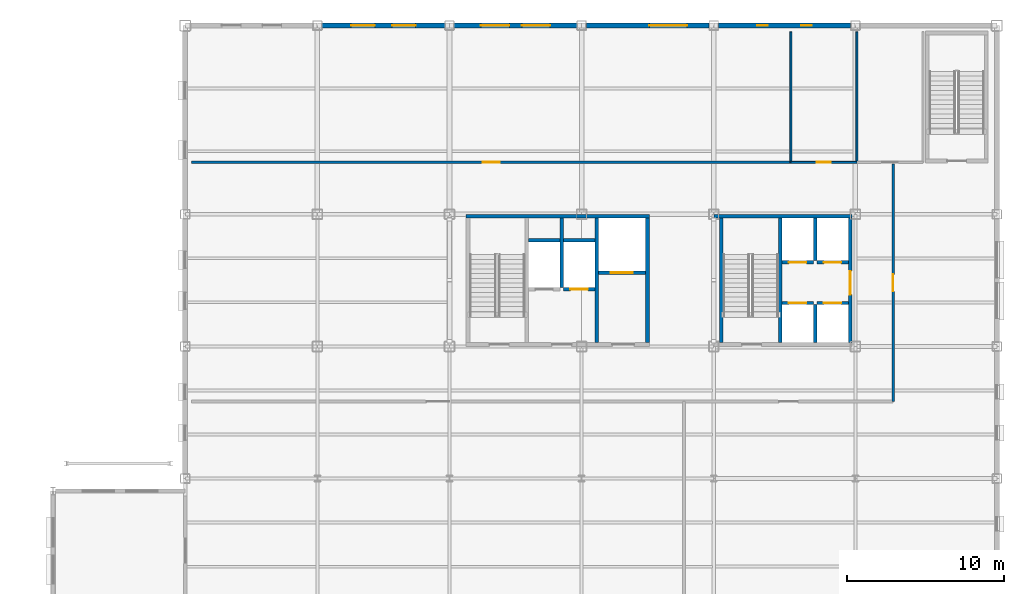
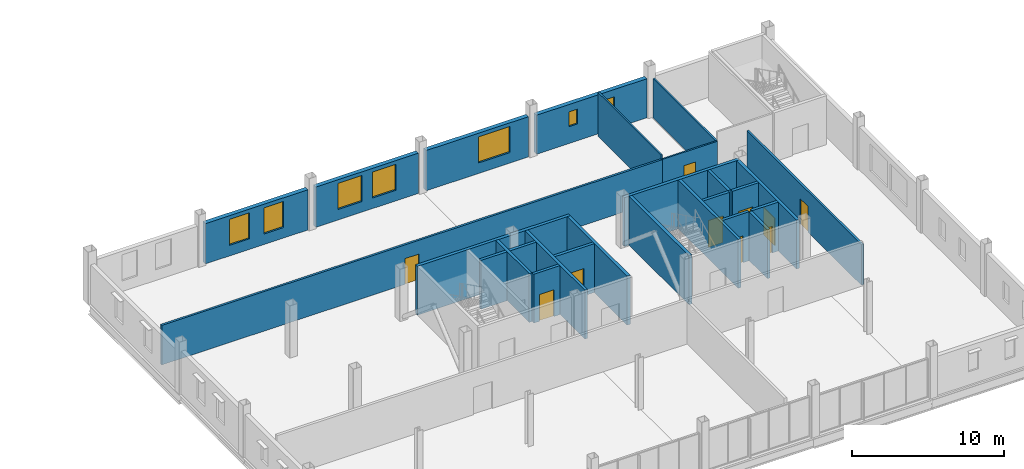
# One storey, part 39 of 45: 27 walls, 10 doors, 7 windows, 17 openings.
"""IFC4 building model written with IfcOpenShell, lengths in metres."""

from ifc_helpers import new_model, si_unit, direction, frame, frame_2d, origin, place, context, subcontext, project, spatial, rectangle, extrude, material, layer, layer_set, type_object, element, fill, save


model = new_model("IFC4")

# Units and contexts
model_context = context("Model", 3, precision=1e-05, world=origin(), true_north=direction((0.0, 1.0)))
body_context = subcontext(model_context, "Body", "Model", "MODEL_VIEW")
ifc_project = project(units=[si_unit("LENGTHUNIT", "METRE"), si_unit("AREAUNIT", "SQUARE_METRE"), si_unit("VOLUMEUNIT", "CUBIC_METRE"), si_unit("PLANEANGLEUNIT", "RADIAN"), si_unit("MASSUNIT", "GRAM", prefix="KILO")], contexts=[model_context])

# Site, building, storey
site_placement = place(None, origin())
site = spatial("IfcSite", under=ifc_project, at=site_placement, CompositionType="ELEMENT")
building_placement = place(site_placement, origin())
building = spatial("IfcBuilding", under=site, at=building_placement, Name="Yukiwa Park Conservatory and Herbarium", CompositionType="ELEMENT")
storey_placement = place(building_placement, frame((0.0, 0.0, 9.0)))
storey = spatial("IfcBuildingStorey", under=building, at=storey_placement, Name="L02", CompositionType="ELEMENT", Elevation=9.0)

# Walls
ifc_material_1 = material(Name="Concrete C40", Category="concrete")
ifc_layer_1 = layer(ifc_material_1, 0.219970703125)
ifc_layer_set_1 = layer_set([ifc_layer_1], Name="Concrete C40")
wall_type_1 = type_object("IfcWallType", Name="WL-CORE-RC220", PredefinedType="SHEAR", material=ifc_layer_set_1)
wall_1_placement = place(storey_placement, frame((140.330078125, 98.5400390625, 0.0), z_axis=(0.0, 0.0, 1.0), x_axis=(0.0, 1.0, 0.0)))
element("IfcWall", 1, at=wall_1_placement, inside=storey, type_object=wall_type_1, Name="L02 core shear wall 246", PredefinedType="SHEAR", context=body_context, shape_type="SweptSolid", body=[
    extrude(rectangle(XDim=4.409912109375, YDim=0.219970703125, at=frame_2d((2.205078125, 0.0))), origin(), (0.0, 0.0, 1.0), 3.93505859375),
])
wall_2_placement = place(storey_placement, frame((142.550048828125, 95.050048828125, 0.0), z_axis=(0.0, 0.0, 1.0), x_axis=(0.0, 1.0, 0.0)))
element("IfcWall", 2, at=wall_2_placement, inside=storey, type_object=wall_type_1, Name="L02 core shear wall 247", PredefinedType="SHEAR", context=body_context, shape_type="SweptSolid", body=[
    extrude(rectangle(XDim=7.89990234375, YDim=0.219970703125, at=frame_2d((3.949951171875, 0.0))), origin(), (0.0, 0.0, 1.0), 3.93505859375),
])

# Wall, opening, door
wall_3_placement = place(storey_placement, frame((140.43994140625, 98.429931640625, 0.0), z_axis=(0.0, 0.0, 1.0), x_axis=(1.0, 0.0, 0.0)))
wall_3 = element("IfcWall", 3, at=wall_3_placement, inside=storey, type_object=wall_type_1, Name="L02 core shear wall 250", PredefinedType="SHEAR", context=body_context, shape_type="SweptSolid", body=[
    extrude(rectangle(XDim=2.0, YDim=0.219970703125, at=frame_2d((1.0, 0.0))), origin(), (0.0, 0.0, 1.0), 3.93505859375),
])
opening_1_placement = place(wall_3_placement, frame((0.449951171875, 0.0, 0.0)))
opening_1 = element("IfcOpeningElement", 4, at=opening_1_placement, cuts=wall_3, Name="Opening LD-01", PredefinedType="OPENING", context=body_context, shape_type="SweptSolid", body=[
    extrude(rectangle(XDim=1.10009765625, YDim=2.14990234375, at=frame_2d((0.550048828125, 1.074951171875))), frame((0.0, 0.1201171875, 0.0), z_axis=(0.0, -1.0, 0.0), x_axis=(1.0, 0.0, 0.0)), (0.0, 0.0, 1.0), 0.239990234375),
])
ifc_material_2 = material(Name="Steel Q235B", Category="steel")
door_type_1 = type_object("IfcDoorType", Name="DR-LIFT-LD1100", OperationType="SLIDING_TO_LEFT", PredefinedType="DOOR", material=ifc_material_2)
door_1_placement = place(opening_1_placement, origin())
door_1 = element("IfcDoor", 5, at=door_1_placement, inside=storey, type_object=door_type_1, Name="L02 Firefighting Lift FL2 sliding landing door", OperationType="SLIDING_TO_LEFT", OverallHeight=2.14990234375, OverallWidth=1.10009765625, PredefinedType="DOOR", context=body_context, shape_type="SweptSolid", body=[
    extrude(rectangle(XDim=1.10009765625, YDim=2.14990234375, at=frame_2d((0.550048828125, 1.074951171875))), frame((0.0, 0.02490234375, 0.0), z_axis=(0.0, -1.0, 0.0), x_axis=(1.0, 0.0, 0.0)), (0.0, 0.0, 1.0), 0.050048828125),
])
fill(opening_1, door_1)

# Walls
for number, where, z_axis, x_axis, name in (
    (6, (138.219970703125, 101.550048828125, 0.0), (0.0, 0.0, 1.0), (1.0, 0.0, 0.0), "L02 core shear wall 251"),
    (7, (140.43994140625, 101.550048828125, 0.0), (0.0, 0.0, 1.0), (1.0, 0.0, 0.0), "L02 core shear wall 252"),
):
    element("IfcWall", number, at=place(storey_placement, frame(where, z_axis=z_axis, x_axis=x_axis)), inside=storey, type_object=wall_type_1, Name=name, PredefinedType="SHEAR", context=body_context, shape_type="SweptSolid", body=[
        extrude(rectangle(XDim=2.0, YDim=0.219970703125, at=frame_2d((1.0, 0.0))), origin(), (0.0, 0.0, 1.0), 3.93505859375),
    ])

# Wall, opening, door
wall_4_placement = place(storey_placement, frame((142.659912109375, 99.489990234375, 0.0), z_axis=(0.0, 0.0, 1.0), x_axis=(1.0, 0.0, 0.0)))
wall_4 = element("IfcWall", 8, at=wall_4_placement, inside=storey, type_object=wall_type_1, Name="L02 core shear wall 253", PredefinedType="SHEAR", context=body_context, shape_type="SweptSolid", body=[
    extrude(rectangle(XDim=3.0, YDim=0.219970703125, at=frame_2d((1.5, 0.0))), origin(), (0.0, 0.0, 1.0), 3.93505859375),
])
opening_2_placement = place(wall_4_placement, frame((0.800048828125, 0.0, 0.0)))
opening_2 = element("IfcOpeningElement", 9, at=opening_2_placement, cuts=wall_4, Name="Opening LD-02", PredefinedType="OPENING", context=body_context, shape_type="SweptSolid", body=[
    extrude(rectangle(XDim=1.39990234375, YDim=2.199951171875, at=frame_2d((0.699951171875, 1.10009765625))), frame((0.0, 0.1201171875, 0.0), z_axis=(0.0, -1.0, 0.0), x_axis=(1.0, 0.0, 0.0)), (0.0, 0.0, 1.0), 0.239990234375),
])
ifc_material_3 = material(Name="Steel Q235B", Category="steel")
door_type_2 = type_object("IfcDoorType", Name="DR-LIFT-LD1400", OperationType="SLIDING_TO_LEFT", PredefinedType="DOOR", material=ifc_material_3)
door_2_placement = place(opening_2_placement, origin())
door_2 = element("IfcDoor", 10, at=door_2_placement, inside=storey, type_object=door_type_2, Name="L02 Goods Lift GL1 sliding landing door", OperationType="SLIDING_TO_LEFT", OverallHeight=2.199951171875, OverallWidth=1.39990234375, PredefinedType="DOOR", context=body_context, shape_type="SweptSolid", body=[
    extrude(rectangle(XDim=1.39990234375, YDim=2.199951171875, at=frame_2d((0.699951171875, 1.10009765625))), frame((0.0, 0.02490234375, 0.0), z_axis=(0.0, -1.0, 0.0), x_axis=(1.0, 0.0, 0.0)), (0.0, 0.0, 1.0), 0.050048828125),
])
fill(opening_2, door_2)

# Walls
wall_5_placement = place(storey_placement, frame((154.219970703125, 95.050048828125, 0.0), z_axis=(0.0, 0.0, 1.0), x_axis=(0.0, 1.0, 0.0)))
element("IfcWall", 11, at=wall_5_placement, inside=storey, type_object=wall_type_1, Name="L02 core shear wall 257", PredefinedType="SHEAR", context=body_context, shape_type="SweptSolid", body=[
    extrude(rectangle(XDim=7.89990234375, YDim=0.219970703125, at=frame_2d((3.949951171875, 0.0))), origin(), (0.0, 0.0, 1.0), 3.93505859375),
])
wall_6_placement = place(storey_placement, frame((156.43994140625, 100.25, 0.0), z_axis=(0.0, 0.0, 1.0), x_axis=(0.0, 1.0, 0.0)))
element("IfcWall", 12, at=wall_6_placement, inside=storey, type_object=wall_type_1, Name="L02 core shear wall 259", PredefinedType="SHEAR", context=body_context, shape_type="SweptSolid", body=[
    extrude(rectangle(XDim=2.699951171875, YDim=0.219970703125, at=frame_2d((1.35009765625, 0.0))), origin(), (0.0, 0.0, 1.0), 3.93505859375),
])

# Wall, opening, door
wall_7_placement = place(storey_placement, frame((154.330078125, 100.139892578125, 0.0), z_axis=(0.0, 0.0, 1.0), x_axis=(1.0, 0.0, 0.0)))
wall_7 = element("IfcWall", 13, at=wall_7_placement, inside=storey, type_object=wall_type_1, Name="L02 core shear wall 260", PredefinedType="SHEAR", context=body_context, shape_type="SweptSolid", body=[
    extrude(rectangle(XDim=2.0, YDim=0.219970703125, at=frame_2d((1.0, 0.0))), origin(), (0.0, 0.0, 1.0), 3.93505859375),
])
opening_3_placement = place(wall_7_placement, frame((0.449951171875, 0.0, 0.0)))
opening_3 = element("IfcOpeningElement", 14, at=opening_3_placement, cuts=wall_7, Name="Opening LD-01", PredefinedType="OPENING", context=body_context, shape_type="SweptSolid", body=[
    extrude(rectangle(XDim=1.10009765625, YDim=2.14990234375, at=frame_2d((0.550048828125, 1.074951171875))), frame((0.0, 0.1201171875, 0.0), z_axis=(0.0, -1.0, 0.0), x_axis=(1.0, 0.0, 0.0)), (0.0, 0.0, 1.0), 0.239990234375),
])
door_3_placement = place(opening_3_placement, origin())
door_3 = element("IfcDoor", 15, at=door_3_placement, inside=storey, type_object=door_type_1, Name="L02 Passenger Lift LP1 sliding landing door", OperationType="SLIDING_TO_LEFT", OverallHeight=2.14990234375, OverallWidth=1.10009765625, PredefinedType="DOOR", context=body_context, shape_type="SweptSolid", body=[
    extrude(rectangle(XDim=1.10009765625, YDim=2.14990234375, at=frame_2d((0.550048828125, 1.074951171875))), frame((0.0, 0.02490234375, 0.0), z_axis=(0.0, -1.0, 0.0), x_axis=(1.0, 0.0, 0.0)), (0.0, 0.0, 1.0), 0.050048828125),
])
fill(opening_3, door_3)

wall_8_placement = place(storey_placement, frame((156.550048828125, 100.139892578125, 0.0), z_axis=(0.0, 0.0, 1.0), x_axis=(1.0, 0.0, 0.0)))
wall_8 = element("IfcWall", 16, at=wall_8_placement, inside=storey, type_object=wall_type_1, Name="L02 core shear wall 261", PredefinedType="SHEAR", context=body_context, shape_type="SweptSolid", body=[
    extrude(rectangle(XDim=2.0, YDim=0.219970703125, at=frame_2d((1.0, 0.0))), origin(), (0.0, 0.0, 1.0), 3.93505859375),
])
opening_4_placement = place(wall_8_placement, frame((0.449951171875, 0.0, 0.0)))
opening_4 = element("IfcOpeningElement", 17, at=opening_4_placement, cuts=wall_8, Name="Opening LD-01", PredefinedType="OPENING", context=body_context, shape_type="SweptSolid", body=[
    extrude(rectangle(XDim=1.10009765625, YDim=2.14990234375, at=frame_2d((0.550048828125, 1.074951171875))), frame((0.0, 0.1201171875, 0.0), z_axis=(0.0, -1.0, 0.0), x_axis=(1.0, 0.0, 0.0)), (0.0, 0.0, 1.0), 0.239990234375),
])
door_4_placement = place(opening_4_placement, origin())
door_4 = element("IfcDoor", 18, at=door_4_placement, inside=storey, type_object=door_type_1, Name="L02 Passenger Lift LP2 sliding landing door", OperationType="SLIDING_TO_LEFT", OverallHeight=2.14990234375, OverallWidth=1.10009765625, PredefinedType="DOOR", context=body_context, shape_type="SweptSolid", body=[
    extrude(rectangle(XDim=1.10009765625, YDim=2.14990234375, at=frame_2d((0.550048828125, 1.074951171875))), frame((0.0, 0.02490234375, 0.0), z_axis=(0.0, -1.0, 0.0), x_axis=(1.0, 0.0, 0.0)), (0.0, 0.0, 1.0), 0.050048828125),
])
fill(opening_4, door_4)

# Wall
wall_9_placement = place(storey_placement, frame((156.43994140625, 95.050048828125, 0.0), z_axis=(0.0, 0.0, 1.0), x_axis=(0.0, 1.0, 0.0)))
element("IfcWall", 19, at=wall_9_placement, inside=storey, type_object=wall_type_1, Name="L02 core shear wall 262", PredefinedType="SHEAR", context=body_context, shape_type="SweptSolid", body=[
    extrude(rectangle(XDim=2.39990234375, YDim=0.219970703125, at=frame_2d((1.199951171875, 0.0))), origin(), (0.0, 0.0, 1.0), 3.93505859375),
])

# Wall, opening, door
wall_10_placement = place(storey_placement, frame((154.330078125, 97.56005859375, 0.0), z_axis=(0.0, 0.0, 1.0), x_axis=(1.0, 0.0, 0.0)))
wall_10 = element("IfcWall", 20, at=wall_10_placement, inside=storey, type_object=wall_type_1, Name="L02 core shear wall 263", PredefinedType="SHEAR", context=body_context, shape_type="SweptSolid", body=[
    extrude(rectangle(XDim=2.0, YDim=0.219970703125, at=frame_2d((1.0, 0.0))), origin(), (0.0, 0.0, 1.0), 3.93505859375),
])
opening_5_placement = place(wall_10_placement, frame((0.449951171875, 0.0, 0.0)))
opening_5 = element("IfcOpeningElement", 21, at=opening_5_placement, cuts=wall_10, Name="Opening LD-01", PredefinedType="OPENING", context=body_context, shape_type="SweptSolid", body=[
    extrude(rectangle(XDim=1.10009765625, YDim=2.14990234375, at=frame_2d((0.550048828125, 1.074951171875))), frame((0.0, 0.1201171875, 0.0), z_axis=(0.0, -1.0, 0.0), x_axis=(1.0, 0.0, 0.0)), (0.0, 0.0, 1.0), 0.239990234375),
])
door_5_placement = place(opening_5_placement, origin())
door_5 = element("IfcDoor", 22, at=door_5_placement, inside=storey, type_object=door_type_1, Name="L02 Passenger Lift LP3 sliding landing door", OperationType="SLIDING_TO_LEFT", OverallHeight=2.14990234375, OverallWidth=1.10009765625, PredefinedType="DOOR", context=body_context, shape_type="SweptSolid", body=[
    extrude(rectangle(XDim=1.10009765625, YDim=2.14990234375, at=frame_2d((0.550048828125, 1.074951171875))), frame((0.0, 0.02490234375, 0.0), z_axis=(0.0, -1.0, 0.0), x_axis=(1.0, 0.0, 0.0)), (0.0, 0.0, 1.0), 0.050048828125),
])
fill(opening_5, door_5)

wall_11_placement = place(storey_placement, frame((156.550048828125, 97.56005859375, 0.0), z_axis=(0.0, 0.0, 1.0), x_axis=(1.0, 0.0, 0.0)))
wall_11 = element("IfcWall", 23, at=wall_11_placement, inside=storey, type_object=wall_type_1, Name="L02 core shear wall 264", PredefinedType="SHEAR", context=body_context, shape_type="SweptSolid", body=[
    extrude(rectangle(XDim=2.0, YDim=0.219970703125, at=frame_2d((1.0, 0.0))), origin(), (0.0, 0.0, 1.0), 3.93505859375),
])
opening_6_placement = place(wall_11_placement, frame((0.449951171875, 0.0, 0.0)))
opening_6 = element("IfcOpeningElement", 24, at=opening_6_placement, cuts=wall_11, Name="Opening LD-01", PredefinedType="OPENING", context=body_context, shape_type="SweptSolid", body=[
    extrude(rectangle(XDim=1.10009765625, YDim=2.14990234375, at=frame_2d((0.550048828125, 1.074951171875))), frame((0.0, 0.1201171875, 0.0), z_axis=(0.0, -1.0, 0.0), x_axis=(1.0, 0.0, 0.0)), (0.0, 0.0, 1.0), 0.239990234375),
])
door_6_placement = place(opening_6_placement, origin())
door_6 = element("IfcDoor", 25, at=door_6_placement, inside=storey, type_object=door_type_1, Name="L02 Passenger Lift LP4 sliding landing door", OperationType="SLIDING_TO_LEFT", OverallHeight=2.14990234375, OverallWidth=1.10009765625, PredefinedType="DOOR", context=body_context, shape_type="SweptSolid", body=[
    extrude(rectangle(XDim=1.10009765625, YDim=2.14990234375, at=frame_2d((0.550048828125, 1.074951171875))), frame((0.0, 0.02490234375, 0.0), z_axis=(0.0, -1.0, 0.0), x_axis=(1.0, 0.0, 0.0)), (0.0, 0.0, 1.0), 0.050048828125),
])
fill(opening_6, door_6)

# Walls
ifc_material_4 = material(Name="Concrete C50", Category="concrete")
ifc_layer_2 = layer(ifc_material_4, 0.239990234375)
ifc_layer_set_2 = layer_set([ifc_layer_2], Name="Concrete C50")
wall_type_2 = type_object("IfcWallType", Name="WL-CORE-RC240", PredefinedType="SHEAR", material=ifc_layer_set_2)
wall_12_placement = place(storey_placement, frame((134.25, 103.070068359375, 0.0), z_axis=(0.0, 0.0, 1.0), x_axis=(1.0, 0.0, 0.0)))
element("IfcWall", 26, at=wall_12_placement, inside=storey, type_object=wall_type_2, Name="L02 core shear wall 243", PredefinedType="SHEAR", context=body_context, shape_type="SweptSolid", body=[
    extrude(rectangle(XDim=11.64990234375, YDim=0.239990234375, at=frame_2d((5.824951171875, 0.0))), origin(), (0.0, 0.0, 1.0), 3.93505859375),
])
wall_13_placement = place(storey_placement, frame((145.780029296875, 95.050048828125, 0.0), z_axis=(0.0, 0.0, 1.0), x_axis=(0.0, 1.0, 0.0)))
element("IfcWall", 27, at=wall_13_placement, inside=storey, type_object=wall_type_2, Name="L02 core shear wall 248", PredefinedType="SHEAR", context=body_context, shape_type="SweptSolid", body=[
    extrude(rectangle(XDim=7.89990234375, YDim=0.239990234375, at=frame_2d((3.949951171875, 0.0))), origin(), (0.0, 0.0, 1.0), 3.93505859375),
])
wall_14_placement = place(storey_placement, frame((150.02001953125, 103.070068359375, 0.0), z_axis=(0.0, 0.0, 1.0), x_axis=(1.0, 0.0, 0.0)))
element("IfcWall", 28, at=wall_14_placement, inside=storey, type_object=wall_type_2, Name="L02 core shear wall 255", PredefinedType="SHEAR", context=body_context, shape_type="SweptSolid", body=[
    extrude(rectangle(XDim=8.77001953125, YDim=0.239990234375, at=frame_2d((4.385009765625, 0.0))), origin(), (0.0, 0.0, 1.0), 3.93505859375),
])
wall_15_placement = place(storey_placement, frame((150.47998046875, 95.050048828125, 0.0), z_axis=(0.0, 0.0, 1.0), x_axis=(0.0, 1.0, 0.0)))
element("IfcWall", 29, at=wall_15_placement, inside=storey, type_object=wall_type_2, Name="L02 core shear wall 256", PredefinedType="SHEAR", context=body_context, shape_type="SweptSolid", body=[
    extrude(rectangle(XDim=7.89990234375, YDim=0.239990234375, at=frame_2d((3.949951171875, 0.0))), origin(), (0.0, 0.0, 1.0), 3.93505859375),
])

# Wall, opening, door
wall_16_placement = place(storey_placement, frame((158.669921875, 95.050048828125, 0.0), z_axis=(0.0, 0.0, 1.0), x_axis=(0.0, 1.0, 0.0)))
wall_16 = element("IfcWall", 30, at=wall_16_placement, inside=storey, type_object=wall_type_2, Name="L02 core shear wall 258", PredefinedType="SHEAR", context=body_context, shape_type="SweptSolid", body=[
    extrude(rectangle(XDim=7.89990234375, YDim=0.239990234375, at=frame_2d((3.949951171875, 0.0))), origin(), (0.0, 0.0, 1.0), 3.93505859375),
])
opening_7_placement = place(wall_16_placement, frame((3.050048828125, 0.0, 0.0)))
opening_7 = element("IfcOpeningElement", 31, at=opening_7_placement, cuts=wall_16, Name="Opening FD-07", PredefinedType="OPENING", context=body_context, shape_type="SweptSolid", body=[
    extrude(rectangle(XDim=1.47998046875, YDim=2.219970703125, at=frame_2d((0.739990234375, 1.10986328125))), frame((0.0, 0.1298828125, 0.0), z_axis=(0.0, -1.0, 0.0), x_axis=(1.0, 0.0, 0.0)), (0.0, 0.0, 1.0), 0.260009765625),
])
ifc_material_5 = material(Name="Steel Q235B", Category="steel")
door_type_3 = type_object("IfcDoorType", Name="DR-FIRE-FD60-1500", OperationType="DOUBLE_DOOR_SINGLE_SWING", PredefinedType="DOOR", material=ifc_material_5)
door_7_placement = place(opening_7_placement, origin())
door_7 = element("IfcDoor", 32, at=door_7_placement, inside=storey, type_object=door_type_3, Name="L02 Tower Passenger Lift Lobby double fire door", OperationType="DOUBLE_DOOR_SINGLE_SWING", OverallHeight=2.219970703125, OverallWidth=1.47998046875, PredefinedType="DOOR", context=body_context, shape_type="SweptSolid", body=[
    extrude(rectangle(XDim=1.47998046875, YDim=2.219970703125, at=frame_2d((0.739990234375, 1.10986328125))), frame((0.0, 0.02490234375, 0.0), z_axis=(0.0, -1.0, 0.0), x_axis=(1.0, 0.0, 0.0)), (0.0, 0.0, 1.0), 0.050048828125),
])
fill(opening_7, door_7)

# Wall, openings, windows
ifc_material_6 = material(Name="Pale Granite Cladding", Category="masonry")
ifc_layer_3 = layer(ifc_material_6, 0.320068359375)
ifc_layer_set_3 = layer_set([ifc_layer_3], Name="Pale Granite Cladding")
wall_type_3 = type_object("IfcWallType", Name="WL-EXT-GRAN-320", PredefinedType="SOLIDWALL", material=ifc_layer_set_3)
wall_17_placement = place(storey_placement, frame((158.699951171875, 115.199951171875, 0.0), z_axis=(0.0, 0.0, 1.0), x_axis=(-1.0, 0.0, 0.0)))
wall_17 = element("IfcWall", 33, at=wall_17_placement, inside=storey, type_object=wall_type_3, Name="L02 exterior envelope wall 219", PredefinedType="SOLIDWALL", context=body_context, shape_type="SweptSolid", body=[
    extrude(rectangle(XDim=8.39990234375, YDim=0.320068359375, at=frame_2d((4.199951171875, 0.0))), origin(), (0.0, 0.0, 1.0), 3.14306640625),
])
opening_8_placement = place(wall_17_placement, frame((2.47509765625, 0.0, 1.35009765625)))
opening_8 = element("IfcOpeningElement", 34, at=opening_8_placement, cuts=wall_17, Name="Opening W-19", PredefinedType="OPENING", context=body_context, shape_type="SweptSolid", body=[
    extrude(rectangle(XDim=0.64990234375, YDim=1.199951171875, at=frame_2d((0.324951171875, 0.60009765625))), frame((0.0, 0.169921875, 0.0), z_axis=(0.0, -1.0, 0.0), x_axis=(1.0, 0.0, 0.0)), (0.0, 0.0, 1.0), 0.340087890625),
])
opening_9_placement = place(wall_17_placement, frame((5.27490234375, 0.0, 1.35009765625)))
opening_9 = element("IfcOpeningElement", 35, at=opening_9_placement, cuts=wall_17, Name="Opening W-19", PredefinedType="OPENING", context=body_context, shape_type="SweptSolid", body=[
    extrude(rectangle(XDim=0.64990234375, YDim=1.199951171875, at=frame_2d((0.324951171875, 0.60009765625))), frame((0.0, 0.169921875, 0.0), z_axis=(0.0, -1.0, 0.0), x_axis=(1.0, 0.0, 0.0)), (0.0, 0.0, 1.0), 0.340087890625),
])
ifc_material_7 = material(Name="Triple Low-E Insulated Glass", Category="glass")
window_type_1 = type_object("IfcWindowType", Name="WN-WC-0650X1200", PartitioningType="SINGLE_PANEL", PredefinedType="WINDOW", material=ifc_material_7)
window_1_placement = place(opening_8_placement, origin())
window_1 = element("IfcWindow", 36, at=window_1_placement, inside=storey, type_object=window_type_1, Name="L02 deep-reveal triple-glazed window 139", OverallHeight=1.199951171875, OverallWidth=0.64990234375, PartitioningType="SINGLE_PANEL", PredefinedType="WINDOW", context=body_context, shape_type="SweptSolid", body=[
    extrude(rectangle(XDim=0.64990234375, YDim=1.199951171875, at=frame_2d((0.324951171875, 0.60009765625))), frame((0.0, 0.030029296875, 0.0), z_axis=(0.0, -1.0, 0.0), x_axis=(1.0, 0.0, 0.0)), (0.0, 0.0, 1.0), 0.06005859375),
])
fill(opening_8, window_1)
window_2_placement = place(opening_9_placement, origin())
window_2 = element("IfcWindow", 37, at=window_2_placement, inside=storey, type_object=window_type_1, Name="L02 deep-reveal triple-glazed window 140", OverallHeight=1.199951171875, OverallWidth=0.64990234375, PartitioningType="SINGLE_PANEL", PredefinedType="WINDOW", context=body_context, shape_type="SweptSolid", body=[
    extrude(rectangle(XDim=0.64990234375, YDim=1.199951171875, at=frame_2d((0.324951171875, 0.60009765625))), frame((0.0, 0.030029296875, 0.0), z_axis=(0.0, -1.0, 0.0), x_axis=(1.0, 0.0, 0.0)), (0.0, 0.0, 1.0), 0.06005859375),
])
fill(opening_9, window_2)

# Wall, opening, window
wall_18_placement = place(storey_placement, frame((149.699951171875, 115.199951171875, 0.0), z_axis=(0.0, 0.0, 1.0), x_axis=(-1.0, 0.0, 0.0)))
wall_18 = element("IfcWall", 38, at=wall_18_placement, inside=storey, type_object=wall_type_3, Name="L02 exterior envelope wall 220", PredefinedType="SOLIDWALL", context=body_context, shape_type="SweptSolid", body=[
    extrude(rectangle(XDim=7.800048828125, YDim=0.320068359375, at=frame_2d((3.89990234375, 0.0))), origin(), (0.0, 0.0, 1.0), 3.242919921875),
])
opening_10_placement = place(wall_18_placement, frame((1.39990234375, 0.0, 0.85009765625)))
opening_10 = element("IfcOpeningElement", 39, at=opening_10_placement, cuts=wall_18, Name="Opening W-09", PredefinedType="OPENING", context=body_context, shape_type="SweptSolid", body=[
    extrude(rectangle(XDim=2.39990234375, YDim=2.10009765625, at=frame_2d((1.199951171875, 1.050048828125))), frame((0.0, 0.169921875, 0.0), z_axis=(0.0, -1.0, 0.0), x_axis=(1.0, 0.0, 0.0)), (0.0, 0.0, 1.0), 0.340087890625),
])
ifc_material_8 = material(Name="Triple Low-E Insulated Glass", Category="glass")
window_type_2 = type_object("IfcWindowType", Name="WN-TW-2400X2100", PartitioningType="SINGLE_PANEL", PredefinedType="WINDOW", material=ifc_material_8)
window_3_placement = place(opening_10_placement, origin())
window_3 = element("IfcWindow", 40, at=window_3_placement, inside=storey, type_object=window_type_2, Name="L02 deep-reveal triple-glazed window 141", OverallHeight=2.10009765625, OverallWidth=2.39990234375, PartitioningType="SINGLE_PANEL", PredefinedType="WINDOW", context=body_context, shape_type="SweptSolid", body=[
    extrude(rectangle(XDim=2.39990234375, YDim=2.10009765625, at=frame_2d((1.199951171875, 1.050048828125))), frame((0.0, 0.030029296875, 0.0), z_axis=(0.0, -1.0, 0.0), x_axis=(1.0, 0.0, 0.0)), (0.0, 0.0, 1.0), 0.06005859375),
])
fill(opening_10, window_3)

# Wall, openings, windows
wall_19_placement = place(storey_placement, frame((141.300048828125, 115.199951171875, 0.0), z_axis=(0.0, 0.0, 1.0), x_axis=(-1.0, 0.0, 0.0)))
wall_19 = element("IfcWall", 41, at=wall_19_placement, inside=storey, type_object=wall_type_3, Name="L02 exterior envelope wall 221", PredefinedType="SOLIDWALL", context=body_context, shape_type="SweptSolid", body=[
    extrude(rectangle(XDim=7.800048828125, YDim=0.320068359375, at=frame_2d((3.89990234375, 0.0))), origin(), (0.0, 0.0, 1.0), 3.242919921875),
])
opening_11_placement = place(wall_19_placement, frame((1.699951171875, 0.0, 0.85009765625)))
opening_11 = element("IfcOpeningElement", 42, at=opening_11_placement, cuts=wall_19, Name="Opening W-07", PredefinedType="OPENING", context=body_context, shape_type="SweptSolid", body=[
    extrude(rectangle(XDim=1.800048828125, YDim=2.10009765625, at=frame_2d((0.89990234375, 1.050048828125))), frame((0.0, 0.169921875, 0.0), z_axis=(0.0, -1.0, 0.0), x_axis=(1.0, 0.0, 0.0)), (0.0, 0.0, 1.0), 0.340087890625),
])
opening_12_placement = place(wall_19_placement, frame((4.300048828125, 0.0, 0.85009765625)))
opening_12 = element("IfcOpeningElement", 43, at=opening_12_placement, cuts=wall_19, Name="Opening W-07", PredefinedType="OPENING", context=body_context, shape_type="SweptSolid", body=[
    extrude(rectangle(XDim=1.800048828125, YDim=2.10009765625, at=frame_2d((0.89990234375, 1.050048828125))), frame((0.0, 0.169921875, 0.0), z_axis=(0.0, -1.0, 0.0), x_axis=(1.0, 0.0, 0.0)), (0.0, 0.0, 1.0), 0.340087890625),
])
ifc_material_9 = material(Name="Triple Low-E Insulated Glass", Category="glass")
window_type_3 = type_object("IfcWindowType", Name="WN-TW-1800X2100", PartitioningType="SINGLE_PANEL", PredefinedType="WINDOW", material=ifc_material_9)
window_4_placement = place(opening_11_placement, origin())
window_4 = element("IfcWindow", 44, at=window_4_placement, inside=storey, type_object=window_type_3, Name="L02 deep-reveal triple-glazed window 142", OverallHeight=2.10009765625, OverallWidth=1.800048828125, PartitioningType="SINGLE_PANEL", PredefinedType="WINDOW", context=body_context, shape_type="SweptSolid", body=[
    extrude(rectangle(XDim=1.800048828125, YDim=2.10009765625, at=frame_2d((0.89990234375, 1.050048828125))), frame((0.0, 0.030029296875, 0.0), z_axis=(0.0, -1.0, 0.0), x_axis=(1.0, 0.0, 0.0)), (0.0, 0.0, 1.0), 0.06005859375),
])
fill(opening_11, window_4)
window_5_placement = place(opening_12_placement, origin())
window_5 = element("IfcWindow", 45, at=window_5_placement, inside=storey, type_object=window_type_3, Name="L02 deep-reveal triple-glazed window 143", OverallHeight=2.10009765625, OverallWidth=1.800048828125, PartitioningType="SINGLE_PANEL", PredefinedType="WINDOW", context=body_context, shape_type="SweptSolid", body=[
    extrude(rectangle(XDim=1.800048828125, YDim=2.10009765625, at=frame_2d((0.89990234375, 1.050048828125))), frame((0.0, 0.030029296875, 0.0), z_axis=(0.0, -1.0, 0.0), x_axis=(1.0, 0.0, 0.0)), (0.0, 0.0, 1.0), 0.06005859375),
])
fill(opening_12, window_5)

wall_20_placement = place(storey_placement, frame((132.89990234375, 115.199951171875, 0.0), z_axis=(0.0, 0.0, 1.0), x_axis=(-1.0, 0.0, 0.0)))
wall_20 = element("IfcWall", 46, at=wall_20_placement, inside=storey, type_object=wall_type_3, Name="L02 exterior envelope wall 222", PredefinedType="SOLIDWALL", context=body_context, shape_type="SweptSolid", body=[
    extrude(rectangle(XDim=7.7998046875, YDim=0.320068359375, at=frame_2d((3.89990234375, 0.0))), origin(), (0.0, 0.0, 1.0), 3.242919921875),
])
opening_13_placement = place(wall_20_placement, frame((1.85009765625, 0.0, 0.85009765625)))
opening_13 = element("IfcOpeningElement", 47, at=opening_13_placement, cuts=wall_20, Name="Opening W-05", PredefinedType="OPENING", context=body_context, shape_type="SweptSolid", body=[
    extrude(rectangle(XDim=1.5, YDim=2.10009765625, at=frame_2d((0.75, 1.050048828125))), frame((0.0, 0.169921875, 0.0), z_axis=(0.0, -1.0, 0.0), x_axis=(1.0, 0.0, 0.0)), (0.0, 0.0, 1.0), 0.340087890625),
])
opening_14_placement = place(wall_20_placement, frame((4.449951171875, 0.0, 0.85009765625)))
opening_14 = element("IfcOpeningElement", 48, at=opening_14_placement, cuts=wall_20, Name="Opening W-05", PredefinedType="OPENING", context=body_context, shape_type="SweptSolid", body=[
    extrude(rectangle(XDim=1.5, YDim=2.10009765625, at=frame_2d((0.75, 1.050048828125))), frame((0.0, 0.169921875, 0.0), z_axis=(0.0, -1.0, 0.0), x_axis=(1.0, 0.0, 0.0)), (0.0, 0.0, 1.0), 0.340087890625),
])
ifc_material_10 = material(Name="Triple Low-E Insulated Glass", Category="glass")
window_type_4 = type_object("IfcWindowType", Name="WN-TW-1500X2100", PartitioningType="SINGLE_PANEL", PredefinedType="WINDOW", material=ifc_material_10)
window_6_placement = place(opening_13_placement, origin())
window_6 = element("IfcWindow", 49, at=window_6_placement, inside=storey, type_object=window_type_4, Name="L02 deep-reveal triple-glazed window 144", OverallHeight=2.10009765625, OverallWidth=1.5, PartitioningType="SINGLE_PANEL", PredefinedType="WINDOW", context=body_context, shape_type="SweptSolid", body=[
    extrude(rectangle(XDim=1.5, YDim=2.10009765625, at=frame_2d((0.75, 1.050048828125))), frame((0.0, 0.030029296875, 0.0), z_axis=(0.0, -1.0, 0.0), x_axis=(1.0, 0.0, 0.0)), (0.0, 0.0, 1.0), 0.06005859375),
])
fill(opening_13, window_6)
window_7_placement = place(opening_14_placement, origin())
window_7 = element("IfcWindow", 50, at=window_7_placement, inside=storey, type_object=window_type_4, Name="L02 deep-reveal triple-glazed window 145", OverallHeight=2.10009765625, OverallWidth=1.5, PartitioningType="SINGLE_PANEL", PredefinedType="WINDOW", context=body_context, shape_type="SweptSolid", body=[
    extrude(rectangle(XDim=1.5, YDim=2.10009765625, at=frame_2d((0.75, 1.050048828125))), frame((0.0, 0.030029296875, 0.0), z_axis=(0.0, -1.0, 0.0), x_axis=(1.0, 0.0, 0.0)), (0.0, 0.0, 1.0), 0.06005859375),
])
fill(opening_14, window_7)

# Wall, opening, door
ifc_material_11 = material(Name="Gypsum Board Partition", Category="gypsum")
ifc_layer_4 = layer(ifc_material_11, 0.159912109375)
ifc_layer_set_4 = layer_set([ifc_layer_4], Name="Gypsum Board Partition")
wall_type_4 = type_object("IfcWallType", Name="WL-PART-GYP-160", PredefinedType="PARTITIONING", material=ifc_layer_set_4)
wall_21_placement = place(storey_placement, frame((161.39990234375, 91.300048828125, 0.0), z_axis=(0.0, 0.0, 1.0), x_axis=(0.0, 1.0, 0.0)))
wall_21 = element("IfcWall", 51, at=wall_21_placement, inside=storey, type_object=wall_type_4, Name="L02 interior partition wall 293", PredefinedType="PARTITIONING", context=body_context, shape_type="SweptSolid", body=[
    extrude(rectangle(XDim=15.099853515625, YDim=0.159912109375, at=frame_2d((7.5498046875, 0.0))), origin(), (0.0, 0.0, 1.0), 3.284912109375),
])
opening_15_placement = place(wall_21_placement, frame((7.0, 0.0, 0.0)))
opening_15 = element("IfcOpeningElement", 52, at=opening_15_placement, cuts=wall_21, Name="Opening ID-11", PredefinedType="OPENING", context=body_context, shape_type="SweptSolid", body=[
    extrude(rectangle(XDim=1.080078125, YDim=2.080078125, at=frame_2d((0.5400390625, 1.0400390625))), frame((0.0, 0.08984375, 0.0), z_axis=(0.0, -1.0, 0.0), x_axis=(1.0, 0.0, 0.0)), (0.0, 0.0, 1.0), 0.179931640625),
])
ifc_material_12 = material(Name="Charred Larch Cladding", Category="wood")
door_type_4 = type_object("IfcDoorType", Name="DR-INT-1100", OperationType="SINGLE_SWING_RIGHT", PredefinedType="DOOR", material=ifc_material_12)
door_8_placement = place(opening_15_placement, origin())
door_8 = element("IfcDoor", 53, at=door_8_placement, inside=storey, type_object=door_type_4, Name="L02 Registry Office door", OperationType="SINGLE_SWING_RIGHT", OverallHeight=2.080078125, OverallWidth=1.080078125, PredefinedType="DOOR", context=body_context, shape_type="SweptSolid", body=[
    extrude(rectangle(XDim=1.080078125, YDim=2.080078125, at=frame_2d((0.5400390625, 1.0400390625))), frame((0.0, 0.02490234375, 0.0), z_axis=(0.0, -1.0, 0.0), x_axis=(1.0, 0.0, 0.0)), (0.0, 0.0, 1.0), 0.050048828125),
])
fill(opening_15, door_8)

wall_22_placement = place(storey_placement, frame((116.800048828125, 106.5, 0.0), z_axis=(0.0, 0.0, 1.0), x_axis=(1.0, 0.0, 0.0)))
wall_22 = element("IfcWall", 54, at=wall_22_placement, inside=storey, type_object=wall_type_4, Name="L02 interior partition wall 294", PredefinedType="PARTITIONING", context=body_context, shape_type="SweptSolid", body=[
    extrude(rectangle(XDim=38.099853515625, YDim=0.159912109375, at=frame_2d((19.0498046875, 0.0))), origin(), (0.0, 0.0, 1.0), 3.18505859375),
])
opening_16_placement = place(wall_22_placement, frame((18.5, 0.0, 0.0)))
opening_16 = element("IfcOpeningElement", 55, at=opening_16_placement, cuts=wall_22, Name="Opening ID-11", PredefinedType="OPENING", context=body_context, shape_type="SweptSolid", body=[
    extrude(rectangle(XDim=1.080078125, YDim=2.080078125, at=frame_2d((0.5400390625, 1.0400390625))), frame((0.0, 0.08984375, 0.0), z_axis=(0.0, -1.0, 0.0), x_axis=(1.0, 0.0, 0.0)), (0.0, 0.0, 1.0), 0.179931640625),
])
door_9_placement = place(opening_16_placement, origin())
door_9 = element("IfcDoor", 56, at=door_9_placement, inside=storey, type_object=door_type_4, Name="L02 Illustration studio door", OperationType="SINGLE_SWING_RIGHT", OverallHeight=2.080078125, OverallWidth=1.080078125, PredefinedType="DOOR", context=body_context, shape_type="SweptSolid", body=[
    extrude(rectangle(XDim=1.080078125, YDim=2.080078125, at=frame_2d((0.5400390625, 1.0400390625))), frame((0.0, 0.02490234375, 0.0), z_axis=(0.0, -1.0, 0.0), x_axis=(1.0, 0.0, 0.0)), (0.0, 0.0, 1.0), 0.050048828125),
])
fill(opening_16, door_9)

ifc_material_13 = material(Name="Gypsum Board Partition", Category="gypsum")
ifc_layer_5 = layer(ifc_material_13, 0.1201171875)
ifc_layer_set_5 = layer_set([ifc_layer_5], Name="Gypsum Board Partition")
wall_type_5 = type_object("IfcWallType", Name="WL-PART-WET-150", PredefinedType="PARTITIONING", material=ifc_layer_set_5)
wall_23_placement = place(storey_placement, frame((154.89990234375, 106.5, 0.0), z_axis=(0.0, 0.0, 1.0), x_axis=(1.0, 0.0, 0.0)))
wall_23 = element("IfcWall", 57, at=wall_23_placement, inside=storey, type_object=wall_type_5, Name="L02 interior partition wall 295", PredefinedType="PARTITIONING", context=body_context, shape_type="SweptSolid", body=[
    extrude(rectangle(XDim=4.2001953125, YDim=0.1201171875, at=frame_2d((2.10009765625, 0.0))), origin(), (0.0, 0.0, 1.0), 3.18505859375),
])
opening_17_placement = place(wall_23_placement, frame((1.64990234375, 0.0, 0.0)))
opening_17 = element("IfcOpeningElement", 58, at=opening_17_placement, cuts=wall_23, Name="Opening ID-09", PredefinedType="OPENING", context=body_context, shape_type="SweptSolid", body=[
    extrude(rectangle(XDim=0.89990234375, YDim=2.10009765625, at=frame_2d((0.449951171875, 1.050048828125))), frame((0.0, 0.070068359375, 0.0), z_axis=(0.0, -1.0, 0.0), x_axis=(1.0, 0.0, 0.0)), (0.0, 0.0, 1.0), 0.14013671875),
])
ifc_material_14 = material(Name="Charred Larch Cladding", Category="wood")
door_type_5 = type_object("IfcDoorType", Name="DR-INT-900", OperationType="SINGLE_SWING_LEFT", PredefinedType="DOOR", material=ifc_material_14)
door_10_placement = place(opening_17_placement, origin())
door_10 = element("IfcDoor", 59, at=door_10_placement, inside=storey, type_object=door_type_5, Name="L02 Staff WC door", OperationType="SINGLE_SWING_LEFT", OverallHeight=2.10009765625, OverallWidth=0.89990234375, PredefinedType="DOOR", context=body_context, shape_type="SweptSolid", body=[
    extrude(rectangle(XDim=0.89990234375, YDim=2.10009765625, at=frame_2d((0.449951171875, 1.050048828125))), frame((0.0, 0.02490234375, 0.0), z_axis=(0.0, -1.0, 0.0), x_axis=(1.0, 0.0, 0.0)), (0.0, 0.0, 1.0), 0.050048828125),
])
fill(opening_17, door_10)

# Walls
wall_24_placement = place(storey_placement, frame((154.89990234375, 106.5, 0.0), z_axis=(0.0, 0.0, 1.0), x_axis=(0.0, 1.0, 0.0)))
element("IfcWall", 60, at=wall_24_placement, inside=storey, type_object=wall_type_5, Name="L02 interior partition wall 297", PredefinedType="PARTITIONING", context=body_context, shape_type="SweptSolid", body=[
    extrude(rectangle(XDim=8.300048828125, YDim=0.1201171875, at=frame_2d((4.14990234375, 0.0))), origin(), (0.0, 0.0, 1.0), 3.534912109375),
])
wall_25_placement = place(storey_placement, frame((159.10009765625, 106.5, 0.0), z_axis=(0.0, 0.0, 1.0), x_axis=(0.0, 1.0, 0.0)))
element("IfcWall", 61, at=wall_25_placement, inside=storey, type_object=wall_type_5, Name="L02 interior partition wall 298", PredefinedType="PARTITIONING", context=body_context, shape_type="SweptSolid", body=[
    extrude(rectangle(XDim=8.300048828125, YDim=0.1201171875, at=frame_2d((4.14990234375, 0.0))), origin(), (0.0, 0.0, 1.0), 3.18505859375),
])

save(model, "model.ifc")
